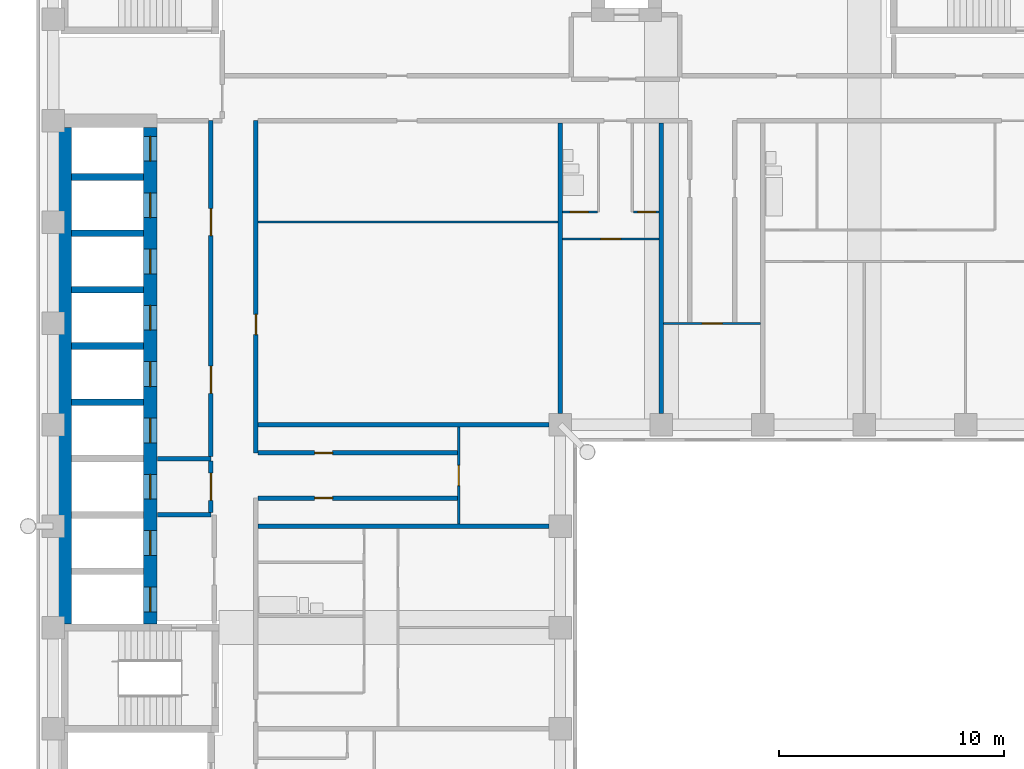
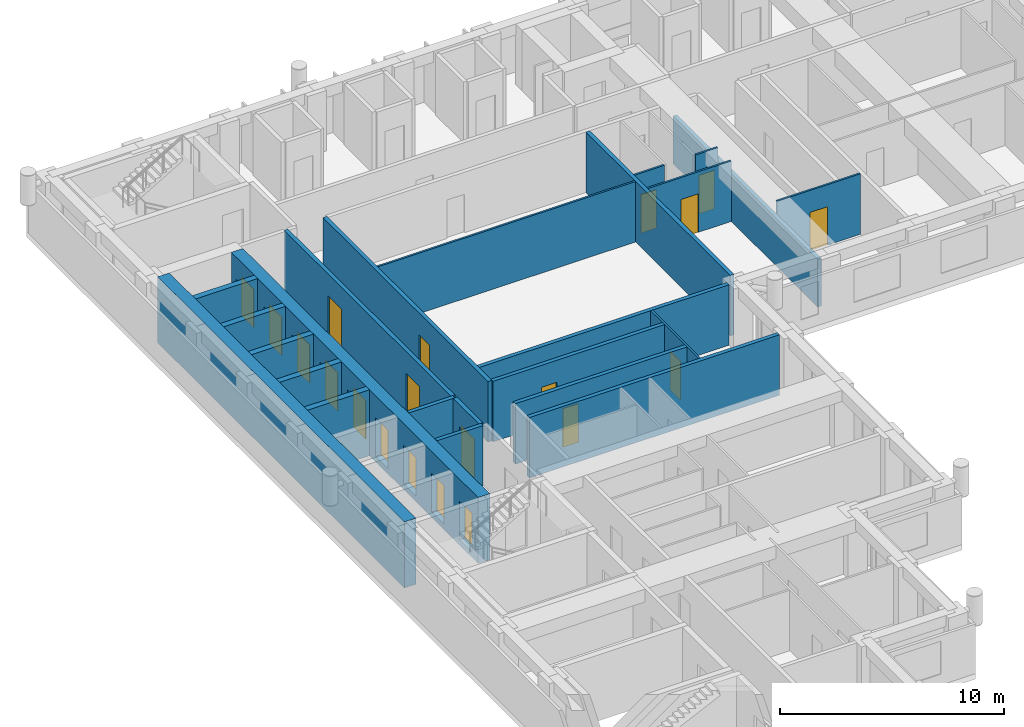
# One storey, part 7 of 15: 24 walls, 20 doors, 20 openings.
"""IFC4 building model written with IfcOpenShell, lengths in metres."""

from ifc_helpers import new_model, si_unit, direction, frame, frame_2d, origin, place, context, subcontext, project, spatial, rectangle, extrude, material, layer, layer_set, type_object, element, fill, save


model = new_model("IFC4")

# Units and contexts
model_context = context("Model", 3, precision=1e-05, world=origin(), true_north=direction((0.0, 1.0)))
body_context = subcontext(model_context, "Body", "Model", "MODEL_VIEW")
ifc_project = project(units=[si_unit("LENGTHUNIT", "METRE"), si_unit("AREAUNIT", "SQUARE_METRE"), si_unit("VOLUMEUNIT", "CUBIC_METRE"), si_unit("PLANEANGLEUNIT", "RADIAN"), si_unit("MASSUNIT", "GRAM", prefix="KILO")], contexts=[model_context])

# Site, building, storey
site_placement = place(None, origin())
site = spatial("IfcSite", under=ifc_project, at=site_placement, CompositionType="ELEMENT")
building_placement = place(site_placement, origin())
building = spatial("IfcBuilding", under=site, at=building_placement, Name="Firuza Court", CompositionType="ELEMENT")
storey_placement = place(building_placement, frame((0.0, 0.0, 137.60009765625)))
storey = spatial("IfcBuildingStorey", under=building, at=storey_placement, Name="L34", CompositionType="ELEMENT", Elevation=137.60009765625)

# Walls
ifc_material_1 = material(Name="Concrete C60/75", Category="concrete")
ifc_layer_1 = layer(ifc_material_1, 0.300048828125)
ifc_layer_set_1 = layer_set([ifc_layer_1], Name="Concrete C60/75")
wall_type_1 = type_object("IfcWallType", Name="Core wall 300 C60/75", PredefinedType="SHEAR", material=ifc_layer_set_1)
for number, where, z_axis, x_axis, name in (
    (1, (0.800048828125, 37.0, -0.300048828125), (0.0, 0.0, 1.0), (1.0, 0.0, 0.0), "Core wall lift shaft L34"),
    (2, (0.800048828125, 39.5, -0.300048828125), (0.0, 0.0, 1.0), (1.0, 0.0, 0.0), "Core wall lift shaft L34"),
    (3, (0.800048828125, 42.0, -0.300048828125), (0.0, 0.0, 1.0), (1.0, 0.0, 0.0), "Core wall lift shaft L34"),
    (4, (0.800048828125, 44.5, -0.300048828125), (0.0, 0.0, 1.0), (1.0, 0.0, 0.0), "Core wall lift shaft L34"),
    (5, (0.800048828125, 47.0, -0.300048828125), (0.0, 0.0, 1.0), (1.0, 0.0, 0.0), "Core wall lift shaft L34"),
):
    element("IfcWall", number, at=place(storey_placement, frame(where, z_axis=z_axis, x_axis=x_axis)), inside=storey, type_object=wall_type_1, Name=name, PredefinedType="SHEAR", context=body_context, shape_type="SweptSolid", body=[
        extrude(rectangle(XDim=3.199951171875, YDim=0.300048828125, at=frame_2d((1.60009765625, 0.0))), origin(), (0.0, 0.0, 1.0), 3.599853515625),
    ])
ifc_layer_2 = layer(ifc_material_1, 0.60009765625)
ifc_layer_set_2 = layer_set([ifc_layer_2], Name="Concrete C60/75")
wall_type_2 = type_object("IfcWallType", Name="Core wall 600 C60/75", PredefinedType="SHEAR", material=ifc_layer_set_2)
wall_1_placement = place(storey_placement, frame((0.5, 27.14990234375, -0.300048828125), z_axis=(0.0, 0.0, 1.0), x_axis=(0.0, 1.0, 0.0)))
element("IfcWall", 6, at=wall_1_placement, inside=storey, type_object=wall_type_2, Name="Core wall lift shaft L34", PredefinedType="SHEAR", context=body_context, shape_type="SweptSolid", body=[
    extrude(rectangle(XDim=22.050048828125, YDim=0.60009765625, at=frame_2d((11.02490234375, 0.0))), origin(), (0.0, 0.0, 1.0), 3.599853515625),
])

# Wall, openings, doors
wall_2_placement = place(storey_placement, frame((4.300048828125, 27.14990234375, -0.300048828125), z_axis=(0.0, 0.0, 1.0), x_axis=(0.0, 1.0, 0.0)))
wall_2 = element("IfcWall", 7, at=wall_2_placement, inside=storey, type_object=wall_type_2, Name="Core wall lift shaft L34", PredefinedType="SHEAR", context=body_context, shape_type="SweptSolid", body=[
    extrude(rectangle(XDim=22.050048828125, YDim=0.60009765625, at=frame_2d((11.02490234375, 0.0))), origin(), (0.0, 0.0, 1.0), 3.599853515625),
])
opening_1_placement = place(wall_2_placement, frame((3.050048828125, 0.0, 0.300048828125)))
opening_1 = element("IfcOpeningElement", 8, at=opening_1_placement, cuts=wall_2, Name="Opening LD-FL1-34", PredefinedType="OPENING", context=body_context, shape_type="SweptSolid", body=[
    extrude(rectangle(XDim=1.10009765625, YDim=2.10009765625, at=frame_2d((0.550048828125, 1.050048828125))), frame((0.0, 0.31201171875, 0.0), z_axis=(0.0, -1.0, 0.0), x_axis=(1.0, 0.0, 0.0)), (0.0, 0.0, 1.0), 0.6240234375),
])
opening_2_placement = place(wall_2_placement, frame((0.550048828125, 0.0, 0.300048828125)))
opening_2 = element("IfcOpeningElement", 9, at=opening_2_placement, cuts=wall_2, Name="Opening LD-FL2-34", PredefinedType="OPENING", context=body_context, shape_type="SweptSolid", body=[
    extrude(rectangle(XDim=1.10009765625, YDim=2.10009765625, at=frame_2d((0.550048828125, 1.050048828125))), frame((0.0, 0.31201171875, 0.0), z_axis=(0.0, -1.0, 0.0), x_axis=(1.0, 0.0, 0.0)), (0.0, 0.0, 1.0), 0.6240234375),
])
opening_3_placement = place(wall_2_placement, frame((20.550048828125, 0.0, 0.300048828125)))
opening_3 = element("IfcOpeningElement", 10, at=opening_3_placement, cuts=wall_2, Name="Opening LD-HB1-34", PredefinedType="OPENING", context=body_context, shape_type="SweptSolid", body=[
    extrude(rectangle(XDim=1.10009765625, YDim=2.10009765625, at=frame_2d((0.550048828125, 1.050048828125))), frame((0.0, 0.31201171875, 0.0), z_axis=(0.0, -1.0, 0.0), x_axis=(1.0, 0.0, 0.0)), (0.0, 0.0, 1.0), 0.6240234375),
])
opening_4_placement = place(wall_2_placement, frame((18.050048828125, 0.0, 0.300048828125)))
opening_4 = element("IfcOpeningElement", 11, at=opening_4_placement, cuts=wall_2, Name="Opening LD-HB2-34", PredefinedType="OPENING", context=body_context, shape_type="SweptSolid", body=[
    extrude(rectangle(XDim=1.10009765625, YDim=2.10009765625, at=frame_2d((0.550048828125, 1.050048828125))), frame((0.0, 0.31201171875, 0.0), z_axis=(0.0, -1.0, 0.0), x_axis=(1.0, 0.0, 0.0)), (0.0, 0.0, 1.0), 0.6240234375),
])
opening_5_placement = place(wall_2_placement, frame((15.550048828125, 0.0, 0.300048828125)))
opening_5 = element("IfcOpeningElement", 12, at=opening_5_placement, cuts=wall_2, Name="Opening LD-HB3-34", PredefinedType="OPENING", context=body_context, shape_type="SweptSolid", body=[
    extrude(rectangle(XDim=1.10009765625, YDim=2.10009765625, at=frame_2d((0.550048828125, 1.050048828125))), frame((0.0, 0.31201171875, 0.0), z_axis=(0.0, -1.0, 0.0), x_axis=(1.0, 0.0, 0.0)), (0.0, 0.0, 1.0), 0.6240234375),
])
opening_6_placement = place(wall_2_placement, frame((13.050048828125, 0.0, 0.300048828125)))
opening_6 = element("IfcOpeningElement", 13, at=opening_6_placement, cuts=wall_2, Name="Opening LD-HB4-34", PredefinedType="OPENING", context=body_context, shape_type="SweptSolid", body=[
    extrude(rectangle(XDim=1.10009765625, YDim=2.10009765625, at=frame_2d((0.550048828125, 1.050048828125))), frame((0.0, 0.31201171875, 0.0), z_axis=(0.0, -1.0, 0.0), x_axis=(1.0, 0.0, 0.0)), (0.0, 0.0, 1.0), 0.6240234375),
])
opening_7_placement = place(wall_2_placement, frame((10.550048828125, 0.0, 0.300048828125)))
opening_7 = element("IfcOpeningElement", 14, at=opening_7_placement, cuts=wall_2, Name="Opening LD-HB5-34", PredefinedType="OPENING", context=body_context, shape_type="SweptSolid", body=[
    extrude(rectangle(XDim=1.10009765625, YDim=2.10009765625, at=frame_2d((0.550048828125, 1.050048828125))), frame((0.0, 0.31201171875, 0.0), z_axis=(0.0, -1.0, 0.0), x_axis=(1.0, 0.0, 0.0)), (0.0, 0.0, 1.0), 0.6240234375),
])
opening_8_placement = place(wall_2_placement, frame((8.050048828125, 0.0, 0.300048828125)))
opening_8 = element("IfcOpeningElement", 15, at=opening_8_placement, cuts=wall_2, Name="Opening LD-HB6-34", PredefinedType="OPENING", context=body_context, shape_type="SweptSolid", body=[
    extrude(rectangle(XDim=1.10009765625, YDim=2.10009765625, at=frame_2d((0.550048828125, 1.050048828125))), frame((0.0, 0.31201171875, 0.0), z_axis=(0.0, -1.0, 0.0), x_axis=(1.0, 0.0, 0.0)), (0.0, 0.0, 1.0), 0.6240234375),
])
opening_9_placement = place(wall_2_placement, frame((5.550048828125, 0.0, 0.300048828125)))
opening_9 = element("IfcOpeningElement", 16, at=opening_9_placement, cuts=wall_2, Name="Opening LD-SL1-34", PredefinedType="OPENING", context=body_context, shape_type="SweptSolid", body=[
    extrude(rectangle(XDim=1.10009765625, YDim=2.10009765625, at=frame_2d((0.550048828125, 1.050048828125))), frame((0.0, 0.31201171875, 0.0), z_axis=(0.0, -1.0, 0.0), x_axis=(1.0, 0.0, 0.0)), (0.0, 0.0, 1.0), 0.6240234375),
])
ifc_material_2 = material(Name="Stainless steel 1.4301 door leaf", Category="steel")
door_type_1 = type_object("IfcDoorType", Name="Lift landing door 1100", OperationType="SLIDING_TO_LEFT", PredefinedType="DOOR", material=ifc_material_2)
door_1_placement = place(opening_1_placement, origin())
door_1 = element("IfcDoor", 17, at=door_1_placement, inside=storey, type_object=door_type_1, Name="Landing door FL1", OperationType="SLIDING_TO_LEFT", OverallHeight=2.10009765625, OverallWidth=1.10009765625, PredefinedType="DOOR", context=body_context, shape_type="SweptSolid", body=[
    extrude(rectangle(XDim=1.10009765625, YDim=2.10009765625, at=frame_2d((0.550048828125, 1.050048828125))), frame((0.0, 0.02490234375, 0.0), z_axis=(0.0, -1.0, 0.0), x_axis=(1.0, 0.0, 0.0)), (0.0, 0.0, 1.0), 0.050048828125),
])
fill(opening_1, door_1)
door_2_placement = place(opening_2_placement, origin())
door_2 = element("IfcDoor", 18, at=door_2_placement, inside=storey, type_object=door_type_1, Name="Landing door FL2", OperationType="SLIDING_TO_LEFT", OverallHeight=2.10009765625, OverallWidth=1.10009765625, PredefinedType="DOOR", context=body_context, shape_type="SweptSolid", body=[
    extrude(rectangle(XDim=1.10009765625, YDim=2.10009765625, at=frame_2d((0.550048828125, 1.050048828125))), frame((0.0, 0.02490234375, 0.0), z_axis=(0.0, -1.0, 0.0), x_axis=(1.0, 0.0, 0.0)), (0.0, 0.0, 1.0), 0.050048828125),
])
fill(opening_2, door_2)
door_3_placement = place(opening_3_placement, origin())
door_3 = element("IfcDoor", 19, at=door_3_placement, inside=storey, type_object=door_type_1, Name="Landing door HB1", OperationType="SLIDING_TO_LEFT", OverallHeight=2.10009765625, OverallWidth=1.10009765625, PredefinedType="DOOR", context=body_context, shape_type="SweptSolid", body=[
    extrude(rectangle(XDim=1.10009765625, YDim=2.10009765625, at=frame_2d((0.550048828125, 1.050048828125))), frame((0.0, 0.02490234375, 0.0), z_axis=(0.0, -1.0, 0.0), x_axis=(1.0, 0.0, 0.0)), (0.0, 0.0, 1.0), 0.050048828125),
])
fill(opening_3, door_3)
door_4_placement = place(opening_4_placement, origin())
door_4 = element("IfcDoor", 20, at=door_4_placement, inside=storey, type_object=door_type_1, Name="Landing door HB2", OperationType="SLIDING_TO_LEFT", OverallHeight=2.10009765625, OverallWidth=1.10009765625, PredefinedType="DOOR", context=body_context, shape_type="SweptSolid", body=[
    extrude(rectangle(XDim=1.10009765625, YDim=2.10009765625, at=frame_2d((0.550048828125, 1.050048828125))), frame((0.0, 0.02490234375, 0.0), z_axis=(0.0, -1.0, 0.0), x_axis=(1.0, 0.0, 0.0)), (0.0, 0.0, 1.0), 0.050048828125),
])
fill(opening_4, door_4)
door_5_placement = place(opening_5_placement, origin())
door_5 = element("IfcDoor", 21, at=door_5_placement, inside=storey, type_object=door_type_1, Name="Landing door HB3", OperationType="SLIDING_TO_LEFT", OverallHeight=2.10009765625, OverallWidth=1.10009765625, PredefinedType="DOOR", context=body_context, shape_type="SweptSolid", body=[
    extrude(rectangle(XDim=1.10009765625, YDim=2.10009765625, at=frame_2d((0.550048828125, 1.050048828125))), frame((0.0, 0.02490234375, 0.0), z_axis=(0.0, -1.0, 0.0), x_axis=(1.0, 0.0, 0.0)), (0.0, 0.0, 1.0), 0.050048828125),
])
fill(opening_5, door_5)
door_6_placement = place(opening_6_placement, origin())
door_6 = element("IfcDoor", 22, at=door_6_placement, inside=storey, type_object=door_type_1, Name="Landing door HB4", OperationType="SLIDING_TO_LEFT", OverallHeight=2.10009765625, OverallWidth=1.10009765625, PredefinedType="DOOR", context=body_context, shape_type="SweptSolid", body=[
    extrude(rectangle(XDim=1.10009765625, YDim=2.10009765625, at=frame_2d((0.550048828125, 1.050048828125))), frame((0.0, 0.02490234375, 0.0), z_axis=(0.0, -1.0, 0.0), x_axis=(1.0, 0.0, 0.0)), (0.0, 0.0, 1.0), 0.050048828125),
])
fill(opening_6, door_6)
door_7_placement = place(opening_7_placement, origin())
door_7 = element("IfcDoor", 23, at=door_7_placement, inside=storey, type_object=door_type_1, Name="Landing door HB5", OperationType="SLIDING_TO_LEFT", OverallHeight=2.10009765625, OverallWidth=1.10009765625, PredefinedType="DOOR", context=body_context, shape_type="SweptSolid", body=[
    extrude(rectangle(XDim=1.10009765625, YDim=2.10009765625, at=frame_2d((0.550048828125, 1.050048828125))), frame((0.0, 0.02490234375, 0.0), z_axis=(0.0, -1.0, 0.0), x_axis=(1.0, 0.0, 0.0)), (0.0, 0.0, 1.0), 0.050048828125),
])
fill(opening_7, door_7)
door_8_placement = place(opening_8_placement, origin())
door_8 = element("IfcDoor", 24, at=door_8_placement, inside=storey, type_object=door_type_1, Name="Landing door HB6", OperationType="SLIDING_TO_LEFT", OverallHeight=2.10009765625, OverallWidth=1.10009765625, PredefinedType="DOOR", context=body_context, shape_type="SweptSolid", body=[
    extrude(rectangle(XDim=1.10009765625, YDim=2.10009765625, at=frame_2d((0.550048828125, 1.050048828125))), frame((0.0, 0.02490234375, 0.0), z_axis=(0.0, -1.0, 0.0), x_axis=(1.0, 0.0, 0.0)), (0.0, 0.0, 1.0), 0.050048828125),
])
fill(opening_8, door_8)
door_9_placement = place(opening_9_placement, origin())
door_9 = element("IfcDoor", 25, at=door_9_placement, inside=storey, type_object=door_type_1, Name="Landing door SL1", OperationType="SLIDING_TO_LEFT", OverallHeight=2.10009765625, OverallWidth=1.10009765625, PredefinedType="DOOR", context=body_context, shape_type="SweptSolid", body=[
    extrude(rectangle(XDim=1.10009765625, YDim=2.10009765625, at=frame_2d((0.550048828125, 1.050048828125))), frame((0.0, 0.02490234375, 0.0), z_axis=(0.0, -1.0, 0.0), x_axis=(1.0, 0.0, 0.0)), (0.0, 0.0, 1.0), 0.050048828125),
])
fill(opening_9, door_9)

# Wall, opening, door
ifc_material_3 = material(Name="Blockwork, plastered both sides", Category="masonry")
ifc_layer_3 = layer(ifc_material_3, 0.199951171875)
ifc_layer_set_3 = layer_set([ifc_layer_3], Name="Blockwork, plastered both sides")
wall_type_3 = type_object("IfcWallType", Name="Corridor wall 200", PredefinedType="PARTITIONING", material=ifc_layer_set_3)
wall_3_placement = place(storey_placement, frame((9.10009765625, 32.75, 0.0), z_axis=(0.0, 0.0, 1.0), x_axis=(1.0, 0.0, 0.0)))
wall_3 = element("IfcWall", 26, at=wall_3_placement, inside=storey, type_object=wall_type_3, Name="Corridor wall 200 L34", PredefinedType="PARTITIONING", context=body_context, shape_type="SweptSolid", body=[
    extrude(rectangle(XDim=8.849853515625, YDim=0.199951171875, at=frame_2d((4.4248046875, 0.0))), origin(), (0.0, 0.0, 1.0), 3.2998046875),
])
opening_10_placement = place(wall_3_placement, frame((2.5, 0.0, 0.0)))
opening_10 = element("IfcOpeningElement", 27, at=opening_10_placement, cuts=wall_3, Name="Opening D34036", PredefinedType="OPENING", context=body_context, shape_type="SweptSolid", body=[
    extrude(rectangle(XDim=0.800048828125, YDim=2.10009765625, at=frame_2d((0.39990234375, 1.050048828125))), frame((0.0, 0.11181640625, 0.0), z_axis=(0.0, -1.0, 0.0), x_axis=(1.0, 0.0, 0.0)), (0.0, 0.0, 1.0), 0.223876953125),
])
ifc_material_4 = material(Name="Timber door leaf in hardwood frame", Category="wood")
door_type_2 = type_object("IfcDoorType", Name="Room door 800 EI 30", OperationType="SINGLE_SWING_LEFT", PredefinedType="DOOR", material=ifc_material_4)
door_10_placement = place(opening_10_placement, frame((0.800048828125, 0.0, 0.0), z_axis=(0.0, 0.0, 1.0), x_axis=(-1.0, 0.0, 0.0)))
door_10 = element("IfcDoor", 28, at=door_10_placement, inside=storey, type_object=door_type_2, Name="Store door", OperationType="SINGLE_SWING_RIGHT", OverallHeight=2.10009765625, OverallWidth=0.800048828125, PredefinedType="DOOR", context=body_context, shape_type="SweptSolid", body=[
    extrude(rectangle(XDim=0.800048828125, YDim=2.10009765625, at=frame_2d((0.39990234375, 1.050048828125))), frame((0.0, 0.02490234375, 0.0), z_axis=(0.0, -1.0, 0.0), x_axis=(1.0, 0.0, 0.0)), (0.0, 0.0, 1.0), 0.050048828125),
])
fill(opening_10, door_10)

wall_4_placement = place(storey_placement, frame((9.0, 34.75, 0.0), z_axis=(0.0, 0.0, 1.0), x_axis=(0.0, 1.0, 0.0)))
wall_4 = element("IfcWall", 29, at=wall_4_placement, inside=storey, type_object=wall_type_3, Name="Corridor wall 200 L34", PredefinedType="PARTITIONING", context=body_context, shape_type="SweptSolid", body=[
    extrude(rectangle(XDim=14.75, YDim=0.199951171875, at=frame_2d((7.375, 0.0))), origin(), (0.0, 0.0, 1.0), 3.2998046875),
])
opening_11_placement = place(wall_4_placement, frame((5.25, 0.0, 0.0)))
opening_11 = element("IfcOpeningElement", 30, at=opening_11_placement, cuts=wall_4, Name="Opening D34037", PredefinedType="OPENING", context=body_context, shape_type="SweptSolid", body=[
    extrude(rectangle(XDim=0.89990234375, YDim=2.10009765625, at=frame_2d((0.449951171875, 1.050048828125))), frame((0.0, 0.11181640625, 0.0), z_axis=(0.0, -1.0, 0.0), x_axis=(1.0, 0.0, 0.0)), (0.0, 0.0, 1.0), 0.223876953125),
])
ifc_material_5 = material(Name="Timber door leaf in hardwood frame", Category="wood")
door_type_3 = type_object("IfcDoorType", Name="Room door 900 EI 30", OperationType="SINGLE_SWING_LEFT", PredefinedType="DOOR", material=ifc_material_5)
door_11_placement = place(opening_11_placement, origin())
door_11 = element("IfcDoor", 31, at=door_11_placement, inside=storey, type_object=door_type_3, Name="Yoga studio door", OperationType="SINGLE_SWING_LEFT", OverallHeight=2.10009765625, OverallWidth=0.89990234375, PredefinedType="DOOR", context=body_context, shape_type="SweptSolid", body=[
    extrude(rectangle(XDim=0.89990234375, YDim=2.10009765625, at=frame_2d((0.449951171875, 1.050048828125))), frame((0.0, 0.02490234375, 0.0), z_axis=(0.0, -1.0, 0.0), x_axis=(1.0, 0.0, 0.0)), (0.0, 0.0, 1.0), 0.050048828125),
])
fill(opening_11, door_11)

wall_5_placement = place(storey_placement, frame((9.10009765625, 34.75, 0.0), z_axis=(0.0, 0.0, 1.0), x_axis=(1.0, 0.0, 0.0)))
wall_5 = element("IfcWall", 32, at=wall_5_placement, inside=storey, type_object=wall_type_3, Name="Corridor wall 200 L34", PredefinedType="PARTITIONING", context=body_context, shape_type="SweptSolid", body=[
    extrude(rectangle(XDim=8.849853515625, YDim=0.199951171875, at=frame_2d((4.4248046875, 0.0))), origin(), (0.0, 0.0, 1.0), 3.2998046875),
])
opening_12_placement = place(wall_5_placement, frame((2.5, 0.0, 0.0)))
opening_12 = element("IfcOpeningElement", 33, at=opening_12_placement, cuts=wall_5, Name="Opening D34038", PredefinedType="OPENING", context=body_context, shape_type="SweptSolid", body=[
    extrude(rectangle(XDim=0.800048828125, YDim=2.10009765625, at=frame_2d((0.39990234375, 1.050048828125))), frame((0.0, 0.11181640625, 0.0), z_axis=(0.0, -1.0, 0.0), x_axis=(1.0, 0.0, 0.0)), (0.0, 0.0, 1.0), 0.223876953125),
])
door_12_placement = place(opening_12_placement, origin())
door_12 = element("IfcDoor", 34, at=door_12_placement, inside=storey, type_object=door_type_2, Name="Store door", OperationType="SINGLE_SWING_LEFT", OverallHeight=2.10009765625, OverallWidth=0.800048828125, PredefinedType="DOOR", context=body_context, shape_type="SweptSolid", body=[
    extrude(rectangle(XDim=0.800048828125, YDim=2.10009765625, at=frame_2d((0.39990234375, 1.050048828125))), frame((0.0, 0.02490234375, 0.0), z_axis=(0.0, -1.0, 0.0), x_axis=(1.0, 0.0, 0.0)), (0.0, 0.0, 1.0), 0.050048828125),
])
fill(opening_12, door_12)

ifc_material_6 = material(Name="Timber stud partition, plasterboard both sides", Category="wood")
ifc_layer_4 = layer(ifc_material_6, 0.10009765625)
ifc_layer_set_4 = layer_set([ifc_layer_4], Name="Timber stud partition, plasterboard both sides")
wall_type_4 = type_object("IfcWallType", Name="Partition wall 100", PredefinedType="PARTITIONING", material=ifc_layer_set_4)
wall_6_placement = place(storey_placement, frame((18.0, 31.60009765625, 0.0), z_axis=(0.0, 0.0, 1.0), x_axis=(0.0, 1.0, 0.0)))
wall_6 = element("IfcWall", 35, at=wall_6_placement, inside=storey, type_object=wall_type_4, Name="Partition wall 100 L34", PredefinedType="PARTITIONING", context=body_context, shape_type="SweptSolid", body=[
    extrude(rectangle(XDim=4.2998046875, YDim=0.10009765625, at=frame_2d((2.14990234375, 0.0))), origin(), (0.0, 0.0, 1.0), 3.2998046875),
])
opening_13_placement = place(wall_6_placement, frame((1.699951171875, 0.0, 0.0)))
opening_13 = element("IfcOpeningElement", 36, at=opening_13_placement, cuts=wall_6, Name="Opening D34035", PredefinedType="OPENING", context=body_context, shape_type="SweptSolid", body=[
    extrude(rectangle(XDim=0.89990234375, YDim=2.10009765625, at=frame_2d((0.449951171875, 1.050048828125))), frame((0.0, 0.06201171875, 0.0), z_axis=(0.0, -1.0, 0.0), x_axis=(1.0, 0.0, 0.0)), (0.0, 0.0, 1.0), 0.1240234375),
])
ifc_material_7 = material(Name="Timber door leaf in hardwood frame", Category="wood")
door_type_4 = type_object("IfcDoorType", Name="Room door 900", OperationType="SINGLE_SWING_LEFT", PredefinedType="DOOR", material=ifc_material_7)
door_13_placement = place(opening_13_placement, origin())
door_13 = element("IfcDoor", 37, at=door_13_placement, inside=storey, type_object=door_type_4, Name="Residents' lounge door", OperationType="SINGLE_SWING_LEFT", OverallHeight=2.10009765625, OverallWidth=0.89990234375, PredefinedType="DOOR", context=body_context, shape_type="SweptSolid", body=[
    extrude(rectangle(XDim=0.89990234375, YDim=2.10009765625, at=frame_2d((0.449951171875, 1.050048828125))), frame((0.0, 0.02490234375, 0.0), z_axis=(0.0, -1.0, 0.0), x_axis=(1.0, 0.0, 0.0)), (0.0, 0.0, 1.0), 0.050048828125),
])
fill(opening_13, door_13)

wall_7_placement = place(storey_placement, frame((27.10009765625, 40.5, 0.0), z_axis=(0.0, 0.0, 1.0), x_axis=(1.0, 0.0, 0.0)))
wall_7 = element("IfcWall", 38, at=wall_7_placement, inside=storey, type_object=wall_type_4, Name="Partition wall 100 L34", PredefinedType="PARTITIONING", context=body_context, shape_type="SweptSolid", body=[
    extrude(rectangle(XDim=4.2998046875, YDim=0.10009765625, at=frame_2d((2.14990234375, 0.0))), origin(), (0.0, 0.0, 1.0), 3.2998046875),
])
opening_14_placement = place(wall_7_placement, frame((1.699951171875, 0.0, 0.0)))
opening_14 = element("IfcOpeningElement", 39, at=opening_14_placement, cuts=wall_7, Name="Opening D34039", PredefinedType="OPENING", context=body_context, shape_type="SweptSolid", body=[
    extrude(rectangle(XDim=0.89990234375, YDim=2.10009765625, at=frame_2d((0.449951171875, 1.050048828125))), frame((0.0, 0.06201171875, 0.0), z_axis=(0.0, -1.0, 0.0), x_axis=(1.0, 0.0, 0.0)), (0.0, 0.0, 1.0), 0.1240234375),
])
door_14_placement = place(opening_14_placement, origin())
door_14 = element("IfcDoor", 40, at=door_14_placement, inside=storey, type_object=door_type_4, Name="Dining lounge door", OperationType="SINGLE_SWING_LEFT", OverallHeight=2.10009765625, OverallWidth=0.89990234375, PredefinedType="DOOR", context=body_context, shape_type="SweptSolid", body=[
    extrude(rectangle(XDim=0.89990234375, YDim=2.10009765625, at=frame_2d((0.449951171875, 1.050048828125))), frame((0.0, 0.02490234375, 0.0), z_axis=(0.0, -1.0, 0.0), x_axis=(1.0, 0.0, 0.0)), (0.0, 0.0, 1.0), 0.050048828125),
])
fill(opening_14, door_14)

wall_8_placement = place(storey_placement, frame((22.60009765625, 44.25, 0.0), z_axis=(0.0, 0.0, 1.0), x_axis=(1.0, 0.0, 0.0)))
wall_8 = element("IfcWall", 41, at=wall_8_placement, inside=storey, type_object=wall_type_4, Name="Partition wall 100 L34", PredefinedType="PARTITIONING", context=body_context, shape_type="SweptSolid", body=[
    extrude(rectangle(XDim=4.2998046875, YDim=0.10009765625, at=frame_2d((2.14990234375, 0.0))), origin(), (0.0, 0.0, 1.0), 3.2998046875),
])
opening_15_placement = place(wall_8_placement, frame((1.699951171875, 0.0, 0.0)))
opening_15 = element("IfcOpeningElement", 42, at=opening_15_placement, cuts=wall_8, Name="Opening D34052", PredefinedType="OPENING", context=body_context, shape_type="SweptSolid", body=[
    extrude(rectangle(XDim=0.89990234375, YDim=2.10009765625, at=frame_2d((0.449951171875, 1.050048828125))), frame((0.0, 0.06201171875, 0.0), z_axis=(0.0, -1.0, 0.0), x_axis=(1.0, 0.0, 0.0)), (0.0, 0.0, 1.0), 0.1240234375),
])
door_15_placement = place(opening_15_placement, frame((0.89990234375, 0.0, 0.0), z_axis=(0.0, 0.0, 1.0), x_axis=(-1.0, 0.0, 0.0)))
door_15 = element("IfcDoor", 43, at=door_15_placement, inside=storey, type_object=door_type_4, Name="Studio room door", OperationType="SINGLE_SWING_RIGHT", OverallHeight=2.10009765625, OverallWidth=0.89990234375, PredefinedType="DOOR", context=body_context, shape_type="SweptSolid", body=[
    extrude(rectangle(XDim=0.89990234375, YDim=2.10009765625, at=frame_2d((0.449951171875, 1.050048828125))), frame((0.0, 0.02490234375, 0.0), z_axis=(0.0, -1.0, 0.0), x_axis=(1.0, 0.0, 0.0)), (0.0, 0.0, 1.0), 0.050048828125),
])
fill(opening_15, door_15)

# Wall
wall_9_placement = place(storey_placement, frame((9.10009765625, 45.0, 0.0), z_axis=(0.0, 0.0, 1.0), x_axis=(1.0, 0.0, 0.0)))
element("IfcWall", 44, at=wall_9_placement, inside=storey, type_object=wall_type_4, Name="Partition wall 100 L34", PredefinedType="PARTITIONING", context=body_context, shape_type="SweptSolid", body=[
    extrude(rectangle(XDim=13.2998046875, YDim=0.10009765625, at=frame_2d((6.64990234375, 0.0))), origin(), (0.0, 0.0, 1.0), 3.2998046875),
])

# Wall, opening, door
wall_10_placement = place(storey_placement, frame((22.60009765625, 45.449951171875, 0.0), z_axis=(0.0, 0.0, 1.0), x_axis=(1.0, 0.0, 0.0)))
wall_10 = element("IfcWall", 45, at=wall_10_placement, inside=storey, type_object=wall_type_4, Name="Partition wall 100 L34", PredefinedType="PARTITIONING", context=body_context, shape_type="SweptSolid", body=[
    extrude(rectangle(XDim=1.5498046875, YDim=0.10009765625, at=frame_2d((0.77490234375, 0.0))), origin(), (0.0, 0.0, 1.0), 3.2998046875),
])
opening_16_placement = place(wall_10_placement, frame((0.35009765625, 0.0, 0.0)))
opening_16 = element("IfcOpeningElement", 46, at=opening_16_placement, cuts=wall_10, Name="Opening D34061", PredefinedType="OPENING", context=body_context, shape_type="SweptSolid", body=[
    extrude(rectangle(XDim=0.800048828125, YDim=2.10009765625, at=frame_2d((0.39990234375, 1.050048828125))), frame((0.0, 0.06201171875, 0.0), z_axis=(0.0, -1.0, 0.0), x_axis=(1.0, 0.0, 0.0)), (0.0, 0.0, 1.0), 0.1240234375),
])
ifc_material_8 = material(Name="Timber door leaf in hardwood frame", Category="wood")
door_type_5 = type_object("IfcDoorType", Name="Bathroom door 800", OperationType="SINGLE_SWING_LEFT", PredefinedType="DOOR", material=ifc_material_8)
door_16_placement = place(opening_16_placement, origin())
door_16 = element("IfcDoor", 47, at=door_16_placement, inside=storey, type_object=door_type_5, Name="Bathroom door", OperationType="SINGLE_SWING_LEFT", OverallHeight=2.10009765625, OverallWidth=0.800048828125, PredefinedType="DOOR", context=body_context, shape_type="SweptSolid", body=[
    extrude(rectangle(XDim=0.800048828125, YDim=2.10009765625, at=frame_2d((0.39990234375, 1.050048828125))), frame((0.0, 0.02490234375, 0.0), z_axis=(0.0, -1.0, 0.0), x_axis=(1.0, 0.0, 0.0)), (0.0, 0.0, 1.0), 0.050048828125),
])
fill(opening_16, door_16)

wall_11_placement = place(storey_placement, frame((25.75, 45.449951171875, 0.0), z_axis=(0.0, 0.0, 1.0), x_axis=(1.0, 0.0, 0.0)))
wall_11 = element("IfcWall", 48, at=wall_11_placement, inside=storey, type_object=wall_type_4, Name="Partition wall 100 L34", PredefinedType="PARTITIONING", context=body_context, shape_type="SweptSolid", body=[
    extrude(rectangle(XDim=1.14990234375, YDim=0.10009765625, at=frame_2d((0.574951171875, 0.0))), origin(), (0.0, 0.0, 1.0), 3.2998046875),
])
opening_17_placement = place(wall_11_placement, frame((0.199951171875, 0.0, 0.0)))
opening_17 = element("IfcOpeningElement", 49, at=opening_17_placement, cuts=wall_11, Name="Opening D34062", PredefinedType="OPENING", context=body_context, shape_type="SweptSolid", body=[
    extrude(rectangle(XDim=0.800048828125, YDim=2.10009765625, at=frame_2d((0.39990234375, 1.050048828125))), frame((0.0, 0.06201171875, 0.0), z_axis=(0.0, -1.0, 0.0), x_axis=(1.0, 0.0, 0.0)), (0.0, 0.0, 1.0), 0.1240234375),
])
ifc_material_9 = material(Name="Timber door leaf in hardwood frame", Category="wood")
door_type_6 = type_object("IfcDoorType", Name="Room door 800", OperationType="SINGLE_SWING_LEFT", PredefinedType="DOOR", material=ifc_material_9)
door_17_placement = place(opening_17_placement, origin())
door_17 = element("IfcDoor", 50, at=door_17_placement, inside=storey, type_object=door_type_6, Name="Kitchen door", OperationType="SINGLE_SWING_LEFT", OverallHeight=2.10009765625, OverallWidth=0.800048828125, PredefinedType="DOOR", context=body_context, shape_type="SweptSolid", body=[
    extrude(rectangle(XDim=0.800048828125, YDim=2.10009765625, at=frame_2d((0.39990234375, 1.050048828125))), frame((0.0, 0.02490234375, 0.0), z_axis=(0.0, -1.0, 0.0), x_axis=(1.0, 0.0, 0.0)), (0.0, 0.0, 1.0), 0.050048828125),
])
fill(opening_17, door_17)

# Walls
ifc_layer_5 = layer(ifc_material_3, 0.199951171875)
ifc_layer_set_5 = layer_set([ifc_layer_5], Name="Blockwork, plastered both sides")
wall_type_5 = type_object("IfcWallType", Name="Party wall 200", PredefinedType="PARTITIONING", material=ifc_layer_set_5)
for number, where, z_axis, x_axis, name in (
    (51, (9.10009765625, 31.5, 0.0), (0.0, 0.0, 1.0), (1.0, 0.0, 0.0), "Party wall 200 L34"),
    (52, (9.10009765625, 36.0, 0.0), (0.0, 0.0, 1.0), (1.0, 0.0, 0.0), "Party wall 200 L34"),
    (53, (22.5, 36.5, 0.0), (0.0, 0.0, 1.0), (0.0, 1.0, 0.0), "Party wall 200 L34"),
):
    element("IfcWall", number, at=place(storey_placement, frame(where, z_axis=z_axis, x_axis=x_axis)), inside=storey, type_object=wall_type_5, Name=name, PredefinedType="PARTITIONING", context=body_context, shape_type="SweptSolid", body=[
        extrude(rectangle(XDim=12.89990234375, YDim=0.199951171875, at=frame_2d((6.449951171875, 0.0))), origin(), (0.0, 0.0, 1.0), 3.2998046875),
    ])
wall_12_placement = place(storey_placement, frame((27.0, 36.5, 0.0), z_axis=(0.0, 0.0, 1.0), x_axis=(0.0, 1.0, 0.0)))
element("IfcWall", 54, at=wall_12_placement, inside=storey, type_object=wall_type_5, Name="Party wall 200 L34", PredefinedType="PARTITIONING", context=body_context, shape_type="SweptSolid", body=[
    extrude(rectangle(XDim=12.89990234375, YDim=0.199951171875, at=frame_2d((6.449951171875, 0.0))), origin(), (0.0, 0.0, 1.0), 2.599853515625),
])
ifc_material_10 = material(Name="Blockwork, fire-rated", Category="masonry")
ifc_layer_6 = layer(ifc_material_10, 0.199951171875)
ifc_layer_set_6 = layer_set([ifc_layer_6], Name="Blockwork, fire-rated")
wall_type_6 = type_object("IfcWallType", Name="Shaft wall 200", PredefinedType="PARTITIONING", material=ifc_layer_set_6)
wall_13_placement = place(storey_placement, frame((4.6201171875, 34.5, 0.0), z_axis=(0.0, 0.0, 1.0), x_axis=(1.0, 0.0, 0.0)))
element("IfcWall", 55, at=wall_13_placement, inside=storey, type_object=wall_type_6, Name="Shaft wall 200 L34", PredefinedType="PARTITIONING", context=body_context, shape_type="SweptSolid", body=[
    extrude(rectangle(XDim=2.3798828125, YDim=0.199951171875, at=frame_2d((1.18994140625, 0.0))), origin(), (0.0, 0.0, 1.0), 3.2998046875),
])

# Wall, openings, doors
wall_14_placement = place(storey_placement, frame((7.0, 34.60009765625, 0.0), z_axis=(0.0, 0.0, 1.0), x_axis=(0.0, 1.0, 0.0)))
wall_14 = element("IfcWall", 56, at=wall_14_placement, inside=storey, type_object=wall_type_6, Name="Shaft wall 200 L34", PredefinedType="PARTITIONING", context=body_context, shape_type="SweptSolid", body=[
    extrude(rectangle(XDim=14.89990234375, YDim=0.199951171875, at=frame_2d((7.449951171875, 0.0))), origin(), (0.0, 0.0, 1.0), 3.2998046875),
])
opening_18_placement = place(wall_14_placement, frame((2.800048828125, 0.0, 0.0)))
opening_18 = element("IfcOpeningElement", 57, at=opening_18_placement, cuts=wall_14, Name="Opening D34004", PredefinedType="OPENING", context=body_context, shape_type="SweptSolid", body=[
    extrude(rectangle(XDim=1.199951171875, YDim=2.10009765625, at=frame_2d((0.60009765625, 1.050048828125))), frame((0.0, 0.11181640625, 0.0), z_axis=(0.0, -1.0, 0.0), x_axis=(1.0, 0.0, 0.0)), (0.0, 0.0, 1.0), 0.223876953125),
])
opening_19_placement = place(wall_14_placement, frame((9.800048828125, 0.0, 0.0)))
opening_19 = element("IfcOpeningElement", 58, at=opening_19_placement, cuts=wall_14, Name="Opening D34005", PredefinedType="OPENING", context=body_context, shape_type="SweptSolid", body=[
    extrude(rectangle(XDim=1.199951171875, YDim=2.10009765625, at=frame_2d((0.60009765625, 1.050048828125))), frame((0.0, 0.11181640625, 0.0), z_axis=(0.0, -1.0, 0.0), x_axis=(1.0, 0.0, 0.0)), (0.0, 0.0, 1.0), 0.223876953125),
])
ifc_material_11 = material(Name="Timber door leaf in hardwood frame", Category="wood")
door_type_7 = type_object("IfcDoorType", Name="Lobby door 1200", OperationType="SINGLE_SWING_LEFT", PredefinedType="DOOR", material=ifc_material_11)
door_18_placement = place(opening_18_placement, origin())
door_18 = element("IfcDoor", 59, at=door_18_placement, inside=storey, type_object=door_type_7, Name="Lobby door", OperationType="SINGLE_SWING_LEFT", OverallHeight=2.10009765625, OverallWidth=1.199951171875, PredefinedType="DOOR", context=body_context, shape_type="SweptSolid", body=[
    extrude(rectangle(XDim=1.199951171875, YDim=2.10009765625, at=frame_2d((0.60009765625, 1.050048828125))), frame((0.0, 0.02490234375, 0.0), z_axis=(0.0, -1.0, 0.0), x_axis=(1.0, 0.0, 0.0)), (0.0, 0.0, 1.0), 0.050048828125),
])
fill(opening_18, door_18)
door_19_placement = place(opening_19_placement, origin())
door_19 = element("IfcDoor", 60, at=door_19_placement, inside=storey, type_object=door_type_7, Name="Lobby door", OperationType="SINGLE_SWING_RIGHT", OverallHeight=2.10009765625, OverallWidth=1.199951171875, PredefinedType="DOOR", context=body_context, shape_type="SweptSolid", body=[
    extrude(rectangle(XDim=1.199951171875, YDim=2.10009765625, at=frame_2d((0.60009765625, 1.050048828125))), frame((0.0, 0.02490234375, 0.0), z_axis=(0.0, -1.0, 0.0), x_axis=(1.0, 0.0, 0.0)), (0.0, 0.0, 1.0), 0.050048828125),
])
fill(opening_19, door_19)

# Wall
wall_15_placement = place(storey_placement, frame((4.6201171875, 32.0, 0.0), z_axis=(0.0, 0.0, 1.0), x_axis=(1.0, 0.0, 0.0)))
element("IfcWall", 61, at=wall_15_placement, inside=storey, type_object=wall_type_6, Name="Shaft wall 200 L34", PredefinedType="PARTITIONING", context=body_context, shape_type="SweptSolid", body=[
    extrude(rectangle(XDim=2.3798828125, YDim=0.199951171875, at=frame_2d((1.18994140625, 0.0))), origin(), (0.0, 0.0, 1.0), 3.2998046875),
])

# Wall, opening, door
wall_16_placement = place(storey_placement, frame((7.0, 32.10009765625, 0.0), z_axis=(0.0, 0.0, 1.0), x_axis=(0.0, 1.0, 0.0)))
wall_16 = element("IfcWall", 62, at=wall_16_placement, inside=storey, type_object=wall_type_6, Name="Shaft wall 200 L34", PredefinedType="PARTITIONING", context=body_context, shape_type="SweptSolid", body=[
    extrude(rectangle(XDim=2.2998046875, YDim=0.199951171875, at=frame_2d((1.14990234375, 0.0))), origin(), (0.0, 0.0, 1.0), 3.2998046875),
])
opening_20_placement = place(wall_16_placement, frame((0.550048828125, 0.0, 0.0)))
opening_20 = element("IfcOpeningElement", 63, at=opening_20_placement, cuts=wall_16, Name="Opening D34008", PredefinedType="OPENING", context=body_context, shape_type="SweptSolid", body=[
    extrude(rectangle(XDim=1.199951171875, YDim=2.10009765625, at=frame_2d((0.60009765625, 1.050048828125))), frame((0.0, 0.11181640625, 0.0), z_axis=(0.0, -1.0, 0.0), x_axis=(1.0, 0.0, 0.0)), (0.0, 0.0, 1.0), 0.223876953125),
])
door_20_placement = place(opening_20_placement, origin())
door_20 = element("IfcDoor", 64, at=door_20_placement, inside=storey, type_object=door_type_7, Name="Lobby door", OperationType="SINGLE_SWING_LEFT", OverallHeight=2.10009765625, OverallWidth=1.199951171875, PredefinedType="DOOR", context=body_context, shape_type="SweptSolid", body=[
    extrude(rectangle(XDim=1.199951171875, YDim=2.10009765625, at=frame_2d((0.60009765625, 1.050048828125))), frame((0.0, 0.02490234375, 0.0), z_axis=(0.0, -1.0, 0.0), x_axis=(1.0, 0.0, 0.0)), (0.0, 0.0, 1.0), 0.050048828125),
])
fill(opening_20, door_20)

save(model, "model.ifc")
